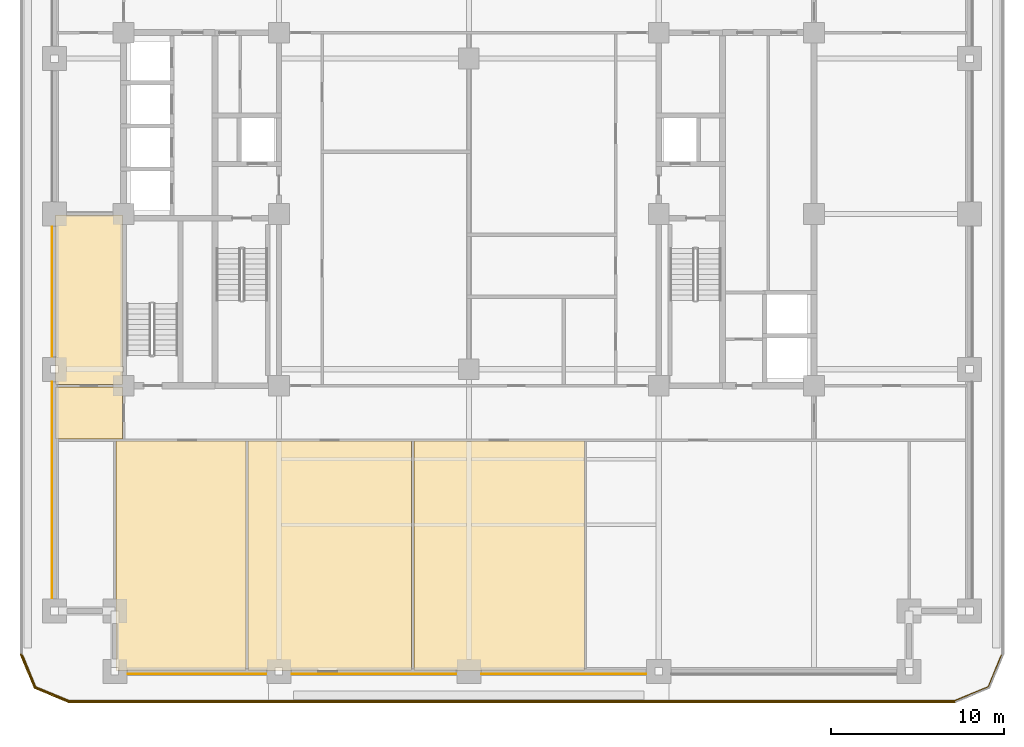
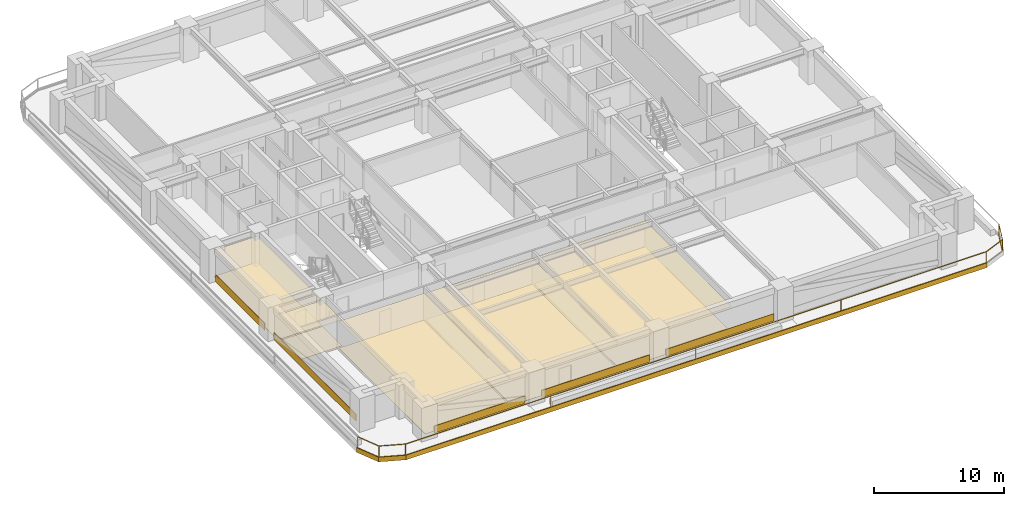
# One storey, part 6 of 12: 18 coverings, 1 railing.
"""IFC4 building model written with IfcOpenShell, lengths in metres."""

from ifc_helpers import new_model, si_unit, direction, frame, frame_2d, origin, origin_2d, place, context, subcontext, project, spatial, polyline, rectangle, outline, extrude, material, layer, layer_set, type_object, element, save


model = new_model("IFC4")

# Units and contexts
model_context = context("Model", 3, precision=1e-05, world=origin(), true_north=direction((0.0, 1.0)))
body_context = subcontext(model_context, "Body", "Model", "MODEL_VIEW")
ifc_project = project(units=[si_unit("LENGTHUNIT", "METRE"), si_unit("AREAUNIT", "SQUARE_METRE"), si_unit("VOLUMEUNIT", "CUBIC_METRE"), si_unit("PLANEANGLEUNIT", "RADIAN"), si_unit("MASSUNIT", "GRAM", prefix="KILO")], contexts=[model_context])

# Site, building, storey
site_placement = place(None, origin())
site = spatial("IfcSite", under=ifc_project, at=site_placement, CompositionType="ELEMENT")
building_placement = place(site_placement, origin())
building = spatial("IfcBuilding", under=site, at=building_placement, Name="Zulmaris Gate Convention Tower", CompositionType="ELEMENT")
storey_placement = place(building_placement, frame((0.0, 0.0, 48.6201171875)))
storey = spatial("IfcBuildingStorey", under=building, at=storey_placement, Name="L11", CompositionType="ELEMENT", Elevation=48.6201171875)

# Coverings
ifc_material_1 = material(Name="Precast concrete C40/50", Category="concrete")
ifc_layer_1 = layer(ifc_material_1, 0.0400390625, Name="Precast concrete C40/50")
ifc_layer_set_1 = layer_set([ifc_layer_1], Name="Precast concrete C40/50")
covering_type_1 = type_object("IfcCoveringType", Name="CLAD-SPANDREL-PRECAST", PredefinedType="CLADDING", material=ifc_layer_set_1)
covering_1_placement = place(storey_placement, frame((-19.77001953125, -26.64990234375, 0.0), z_axis=(0.0, 0.0, 1.0), x_axis=(1.0, 0.0, 0.0)))
element("IfcCovering", 1, at=covering_1_placement, inside=storey, type_object=covering_type_1, Name="CLD-L11-S-0_0", PredefinedType="CLADDING", context=body_context, shape_type="SweptSolid", body=[
    extrude(rectangle(XDim=8.0400390625, YDim=0.0400390625, at=frame_2d((4.02001953125, 0.0))), origin(), (0.0, 0.0, 1.0), 0.679931640625),
])
for number, where, z_axis, x_axis, name in (
    (2, (-10.27001953125, -26.64990234375, 0.0), (0.0, 0.0, 1.0), (1.0, 0.0, 0.0), "CLD-L11-S-1_0"),
    (3, (0.72998046875, -26.64990234375, 0.0), (0.0, 0.0, 1.0), (1.0, 0.0, 0.0), "CLD-L11-S-2_0"),
):
    element("IfcCovering", number, at=place(storey_placement, frame(where, z_axis=z_axis, x_axis=x_axis)), inside=storey, type_object=covering_type_1, Name=name, PredefinedType="CLADDING", context=body_context, shape_type="SweptSolid", body=[
        extrude(rectangle(XDim=9.5400390625, YDim=0.0400390625, at=frame_2d((4.77001953125, 0.0))), origin(), (0.0, 0.0, 1.0), 0.679931640625),
    ])
covering_2_placement = place(storey_placement, frame((-24.14990234375, -9.72998046875, 0.0), z_axis=(0.0, 0.0, 1.0), x_axis=(0.0, -1.0, 0.0)))
element("IfcCovering", 4, at=covering_2_placement, inside=storey, type_object=covering_type_1, Name="CLD-L11-W-0_0", PredefinedType="CLADDING", context=body_context, shape_type="SweptSolid", body=[
    extrude(rectangle(XDim=12.5400390625, YDim=0.0400390625, at=frame_2d((6.27001953125, 0.0))), origin(), (0.0, 0.0, 1.0), 0.679931640625),
])
covering_3_placement = place(storey_placement, frame((-24.14990234375, -0.72998046875, 0.0), z_axis=(0.0, 0.0, 1.0), x_axis=(0.0, -1.0, 0.0)))
element("IfcCovering", 5, at=covering_3_placement, inside=storey, type_object=covering_type_1, Name="CLD-L11-W-1_0", PredefinedType="CLADDING", context=body_context, shape_type="SweptSolid", body=[
    extrude(rectangle(XDim=7.5400390625, YDim=0.0400390625, at=frame_2d((3.77001953125, 0.0))), origin(), (0.0, 0.0, 1.0), 0.679931640625),
])
ifc_material_2 = material(Name="White Glazed Architectural Precast Concrete C40/50", Category="concrete")
ifc_layer_2 = layer(ifc_material_2, 0.080078125, Name="White Glazed Architectural Precast Concrete C40/50")
ifc_layer_set_2 = layer_set([ifc_layer_2], Name="White Glazed Architectural Precast Concrete C40/50")
covering_type_2 = type_object("IfcCoveringType", Name="CLAD-TRAY-FASCIA", PredefinedType="CLADDING", material=ifc_layer_set_2)
covering_4_placement = place(storey_placement, frame((-25.962890625, -25.484619140625, -0.2900390625), z_axis=(0.0, 0.0, 1.0), x_axis=(0.382656984709, -0.923890487046, 0.0)))
element("IfcCovering", 6, at=covering_4_placement, inside=storey, type_object=covering_type_2, Name="FSC-L11-TR-00", PredefinedType="CLADDING", context=body_context, shape_type="SweptSolid", body=[
    extrude(rectangle(XDim=2.14306640625, YDim=0.080078125, at=frame_2d((1.071533203125, 0.0))), origin(), (0.0, 0.0, 1.0), 0.43994140625),
])
covering_5_placement = place(storey_placement, frame((-25.16455078125, -27.44287109375, -0.2900390625), z_axis=(0.0, 0.0, 1.0), x_axis=(0.923873803533, -0.382697263049, 0.0)))
element("IfcCovering", 7, at=covering_5_placement, inside=storey, type_object=covering_type_2, Name="FSC-L11-TR-01", PredefinedType="CLADDING", context=body_context, shape_type="SweptSolid", body=[
    extrude(rectangle(XDim=2.142822265625, YDim=0.080078125, at=frame_2d((1.0712890625, 0.0))), origin(), (0.0, 0.0, 1.0), 0.43994140625),
])
covering_6_placement = place(storey_placement, frame((-23.199951171875, -28.260009765625, -0.2900390625), z_axis=(0.0, 0.0, 1.0), x_axis=(1.0, 0.0, 0.0)))
element("IfcCovering", 8, at=covering_6_placement, inside=storey, type_object=covering_type_2, Name="FSC-L11-TR-02", PredefinedType="CLADDING", context=body_context, shape_type="SweptSolid", body=[
    extrude(rectangle(XDim=51.39990234375, YDim=0.080078125, at=frame_2d((25.699951171875, 0.0))), origin(), (0.0, 0.0, 1.0), 0.43994140625),
])
ifc_material_3 = material(Name="Mineral Fibre Acoustic Ceiling Tile")
ifc_layer_3 = layer(ifc_material_3, 0.02001953125, Name="Mineral Fibre Acoustic Ceiling Tile")
ifc_layer_set_3 = layer_set([ifc_layer_3], Name="Mineral Fibre Acoustic Ceiling Tile")
covering_type_3 = type_object("IfcCoveringType", Name="CLG-ACOUSTIC-600", PredefinedType="CEILING", material=ifc_layer_set_3)
covering_7_placement = place(storey_placement, frame((0.0, 0.0, 2.5048828125)))
element("IfcCovering", 9, at=covering_7_placement, inside=storey, type_object=covering_type_3, Name="CLG-L11-R35", PredefinedType="CEILING", context=body_context, shape_type="SweptSolid", body=[
    extrude(outline(polyline([(-20.43994140625, -26.43994140625), (-12.909912109375, -26.43994140625), (-12.909912109375, -13.159912109375), (-20.43994140625, -13.159912109375), (-20.43994140625, -26.43994140625)])), origin(), (0.0, 0.0, 1.0), 0.02001953125),
])
covering_8_placement = place(storey_placement, frame((0.0, 0.0, 2.452880859375)))
element("IfcCovering", 10, at=covering_8_placement, inside=storey, type_object=covering_type_3, Name="CLG-L11-R36", PredefinedType="CEILING", context=body_context, shape_type="SweptSolid", body=[
    extrude(outline(polyline([(-12.7900390625, -26.43994140625), (-3.31005859375, -26.43994140625), (-3.31005859375, -13.159912109375), (-12.7900390625, -13.159912109375), (-12.7900390625, -26.43994140625)])), origin(), (0.0, 0.0, 1.0), 0.02001953125),
])
covering_9_placement = place(storey_placement, frame((0.0, 0.0, 2.452880859375)))
element("IfcCovering", 11, at=covering_9_placement, inside=storey, type_object=covering_type_3, Name="CLG-L11-R37", PredefinedType="CEILING", context=body_context, shape_type="SweptSolid", body=[
    extrude(outline(polyline([(-3.18994140625, -26.43994140625), (6.68994140625, -26.43994140625), (6.68994140625, -13.159912109375), (-3.18994140625, -13.159912109375), (-3.18994140625, -26.43994140625)])), origin(), (0.0, 0.0, 1.0), 0.02001953125),
])
covering_10_placement = place(storey_placement, frame((0.0, 0.0, 2.452880859375)))
element("IfcCovering", 12, at=covering_10_placement, inside=storey, type_object=covering_type_3, Name="CLG-L11-R46", PredefinedType="CEILING", context=body_context, shape_type="SweptSolid", body=[
    extrude(outline(polyline([(-23.93994140625, -13.0400390625), (-20.06005859375, -13.0400390625), (-20.06005859375, -10.010009765625), (-23.93994140625, -10.010009765625), (-23.93994140625, -13.0400390625)])), origin(), (0.0, 0.0, 1.0), 0.02001953125),
])
covering_11_placement = place(storey_placement, frame((0.0, 0.0, 2.452880859375)))
element("IfcCovering", 13, at=covering_11_placement, inside=storey, type_object=covering_type_3, Name="CLG-L11-R48", PredefinedType="CEILING", context=body_context, shape_type="SweptSolid", body=[
    extrude(outline(polyline([(-23.93994140625, -9.889892578125), (-20.06005859375, -9.889892578125), (-20.06005859375, -0.06005859375), (-23.93994140625, -0.06005859375), (-23.93994140625, -9.889892578125)])), origin(), (0.0, 0.0, 1.0), 0.02001953125),
])
ifc_material_4 = material(Name="Woven Acoustic Wool Carpet Tile")
ifc_layer_4 = layer(ifc_material_4, 0.02001953125, Name="Woven Acoustic Wool Carpet Tile")
ifc_layer_set_4 = layer_set([ifc_layer_4], Name="Woven Acoustic Wool Carpet Tile")
covering_type_4 = type_object("IfcCoveringType", Name="FLR-CARPET-12", PredefinedType="FLOORING", material=ifc_layer_set_4)
covering_12_placement = place(storey_placement, origin())
element("IfcCovering", 14, at=covering_12_placement, inside=storey, type_object=covering_type_4, Name="FLR-L11-R36", PredefinedType="FLOORING", context=body_context, shape_type="SweptSolid", body=[
    extrude(outline(polyline([(-12.7900390625, -26.43994140625), (-3.31005859375, -26.43994140625), (-3.31005859375, -13.159912109375), (-12.7900390625, -13.159912109375), (-12.7900390625, -26.43994140625)])), origin(), (0.0, 0.0, 1.0), 0.02001953125),
])
covering_13_placement = place(storey_placement, origin())
element("IfcCovering", 15, at=covering_13_placement, inside=storey, type_object=covering_type_4, Name="FLR-L11-R37", PredefinedType="FLOORING", context=body_context, shape_type="SweptSolid", body=[
    extrude(outline(polyline([(-3.18994140625, -26.43994140625), (6.68994140625, -26.43994140625), (6.68994140625, -13.159912109375), (-3.18994140625, -13.159912109375), (-3.18994140625, -26.43994140625)])), origin(), (0.0, 0.0, 1.0), 0.02001953125),
])
covering_14_placement = place(storey_placement, origin())
element("IfcCovering", 16, at=covering_14_placement, inside=storey, type_object=covering_type_4, Name="FLR-L11-R46", PredefinedType="FLOORING", context=body_context, shape_type="SweptSolid", body=[
    extrude(outline(polyline([(-23.93994140625, -13.0400390625), (-20.06005859375, -13.0400390625), (-20.06005859375, -10.010009765625), (-23.93994140625, -10.010009765625), (-23.93994140625, -13.0400390625)])), origin(), (0.0, 0.0, 1.0), 0.02001953125),
])
covering_15_placement = place(storey_placement, origin())
element("IfcCovering", 17, at=covering_15_placement, inside=storey, type_object=covering_type_4, Name="FLR-L11-R48", PredefinedType="FLOORING", context=body_context, shape_type="SweptSolid", body=[
    extrude(outline(polyline([(-23.93994140625, -9.889892578125), (-20.06005859375, -9.889892578125), (-20.06005859375, -0.06005859375), (-23.93994140625, -0.06005859375), (-23.93994140625, -9.889892578125)])), origin(), (0.0, 0.0, 1.0), 0.02001953125),
])
ifc_material_5 = material(Name="Engineered Teak Parquet Flooring")
ifc_layer_5 = layer(ifc_material_5, 0.02001953125, Name="Engineered Teak Parquet Flooring")
ifc_layer_set_5 = layer_set([ifc_layer_5], Name="Engineered Teak Parquet Flooring")
covering_type_5 = type_object("IfcCoveringType", Name="FLR-TIMBER-18", PredefinedType="FLOORING", material=ifc_layer_set_5)
covering_16_placement = place(storey_placement, origin())
element("IfcCovering", 18, at=covering_16_placement, inside=storey, type_object=covering_type_5, Name="FLR-L11-R35", PredefinedType="FLOORING", context=body_context, shape_type="SweptSolid", body=[
    extrude(outline(polyline([(-20.43994140625, -26.43994140625), (-12.909912109375, -26.43994140625), (-12.909912109375, -13.159912109375), (-20.43994140625, -13.159912109375), (-20.43994140625, -26.43994140625)])), origin(), (0.0, 0.0, 1.0), 0.02001953125),
])

# Railing
ifc_material_6 = material(Name="Laminated Glass and Stainless Steel", Category="steel")
railing_type = type_object("IfcRailingType", Name="RL-BALC-1150", PredefinedType="BALUSTRADE", material=ifc_material_6)
railing_placement = place(storey_placement, frame((-25.8798828125, -25.5, -0.010009765625)))
element("IfcRailing", 19, at=railing_placement, inside=storey, type_object=railing_type, Name="RL-L11-BALC-S", PredefinedType="BALUSTRADE", context=body_context, shape_type="SweptSolid", body=[
    extrude(rectangle(XDim=0.048095703125, YDim=0.048095703125, at=origin_2d()), frame((0.0, 0.0, 1.1259765625), z_axis=(0.382670664694, -0.92388482095, 0.0), x_axis=(0.92388482095, 0.382670664694, 0.0)), (0.0, 0.0, 1.0), 2.051025390625),
    extrude(rectangle(XDim=0.048095703125, YDim=0.048095703125, at=origin_2d()), frame((0.0, 0.0, 0.02392578125), z_axis=(0.382670664694, -0.92388482095, 0.0), x_axis=(0.92388482095, 0.382670664694, 0.0)), (0.0, 0.0, 1.0), 2.051025390625),
    extrude(rectangle(XDim=0.048095703125, YDim=0.048095703125, at=origin_2d()), frame((0.784912109375, -1.89501953125, 1.1259765625), z_axis=(0.92388482095, -0.382670664694, 0.0), x_axis=(0.382670664694, 0.92388482095, 0.0)), (0.0, 0.0, 1.0), 2.051025390625),
    extrude(rectangle(XDim=0.048095703125, YDim=0.048095703125, at=origin_2d()), frame((0.784912109375, -1.89501953125, 0.02392578125), z_axis=(0.92388482095, -0.382670664694, 0.0), x_axis=(0.382670664694, 0.92388482095, 0.0)), (0.0, 0.0, 1.0), 2.051025390625),
    extrude(rectangle(XDim=0.048095703125, YDim=0.048095703125, at=origin_2d()), frame((2.679931640625, -2.679931640625, 1.1259765625), z_axis=(1.0, 0.0, 0.0), x_axis=(0.0, 1.0, 0.0)), (0.0, 0.0, 1.0), 51.39990234375),
    extrude(rectangle(XDim=0.048095703125, YDim=0.048095703125, at=origin_2d()), frame((2.679931640625, -2.679931640625, 0.02392578125), z_axis=(1.0, 0.0, 0.0), x_axis=(0.0, 1.0, 0.0)), (0.0, 0.0, 1.0), 51.39990234375),
    extrude(rectangle(XDim=0.048095703125, YDim=0.048095703125, at=origin_2d()), frame((54.079833984375, -2.679931640625, 1.1259765625), z_axis=(0.92388482095, 0.382670664694, 0.0), x_axis=(-0.382670664694, 0.92388482095, 0.0)), (0.0, 0.0, 1.0), 2.051025390625),
    extrude(rectangle(XDim=0.048095703125, YDim=0.048095703125, at=origin_2d()), frame((54.079833984375, -2.679931640625, 0.02392578125), z_axis=(0.92388482095, 0.382670664694, 0.0), x_axis=(-0.382670664694, 0.92388482095, 0.0)), (0.0, 0.0, 1.0), 2.051025390625),
    extrude(rectangle(XDim=0.048095703125, YDim=0.048095703125, at=origin_2d()), frame((55.974853515625, -1.89501953125, 1.1259765625), z_axis=(0.382670664694, 0.92388482095, 0.0), x_axis=(-0.92388482095, 0.382670664694, 0.0)), (0.0, 0.0, 1.0), 2.051025390625),
    extrude(rectangle(XDim=0.048095703125, YDim=0.048095703125, at=origin_2d()), frame((55.974853515625, -1.89501953125, 0.02392578125), z_axis=(0.382670664694, 0.92388482095, 0.0), x_axis=(-0.92388482095, 0.382670664694, 0.0)), (0.0, 0.0, 1.0), 2.051025390625),
    extrude(rectangle(XDim=0.0419921875, YDim=0.0419921875, at=origin_2d()), origin(), (0.0, 0.0, 1.0), 1.101806640625),
    extrude(rectangle(XDim=0.0419921875, YDim=0.0419921875, at=origin_2d()), frame((0.784912109375, -1.89501953125, 0.0)), (0.0, 0.0, 1.0), 1.101806640625),
    extrude(rectangle(XDim=0.0419921875, YDim=0.0419921875, at=origin_2d()), frame((2.679931640625, -2.679931640625, 0.0)), (0.0, 0.0, 1.0), 1.101806640625),
    extrude(rectangle(XDim=0.0419921875, YDim=0.0419921875, at=origin_2d()), frame((15.52978515625, -2.679931640625, 0.0)), (0.0, 0.0, 1.0), 1.101806640625),
    extrude(rectangle(XDim=0.0419921875, YDim=0.0419921875, at=origin_2d()), frame((28.3798828125, -2.679931640625, 0.0)), (0.0, 0.0, 1.0), 1.101806640625),
    extrude(rectangle(XDim=0.0419921875, YDim=0.0419921875, at=origin_2d()), frame((41.22998046875, -2.679931640625, 0.0)), (0.0, 0.0, 1.0), 1.101806640625),
    extrude(rectangle(XDim=0.0419921875, YDim=0.0419921875, at=origin_2d()), frame((54.079833984375, -2.679931640625, 0.0)), (0.0, 0.0, 1.0), 1.101806640625),
    extrude(rectangle(XDim=0.0419921875, YDim=0.0419921875, at=origin_2d()), frame((55.974853515625, -1.89501953125, 0.0)), (0.0, 0.0, 1.0), 1.101806640625),
    extrude(rectangle(XDim=0.0419921875, YDim=0.0419921875, at=origin_2d()), frame((56.759765625, 0.0, 0.0)), (0.0, 0.0, 1.0), 1.101806640625),
])

save(model, "model.ifc")
